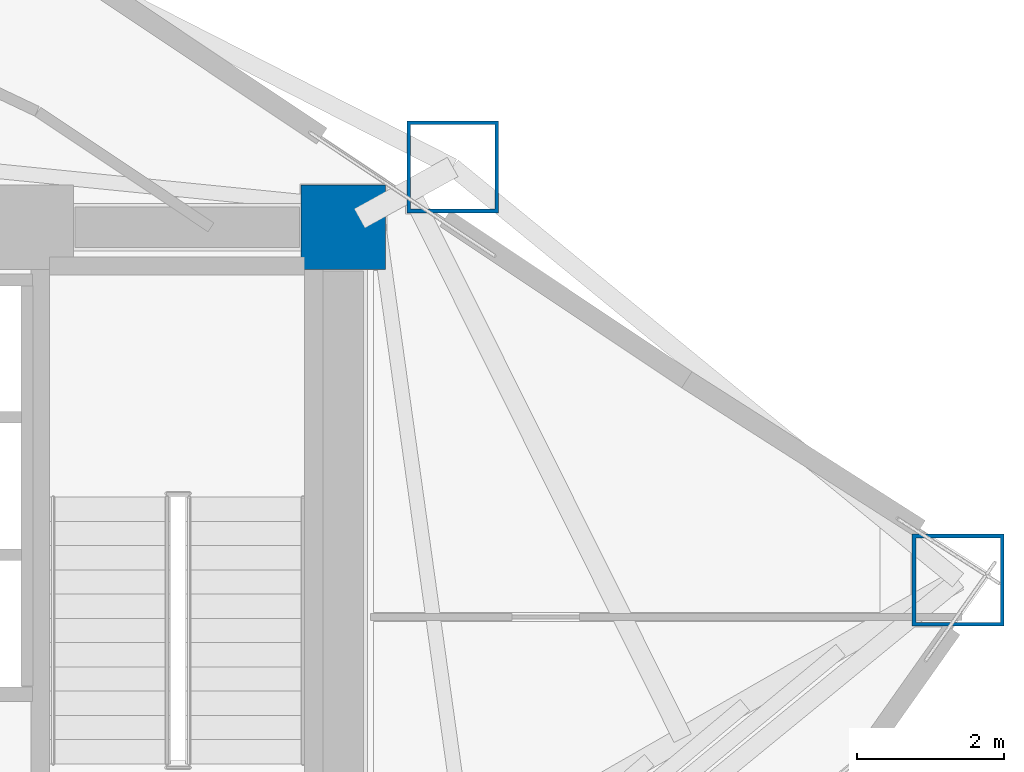
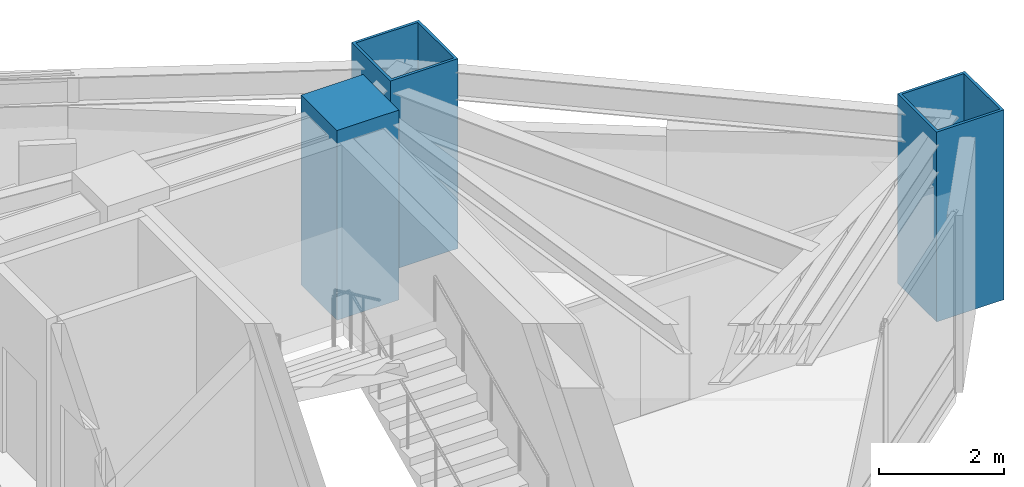
# One storey, part 2 of 23: 3 columns.
"""IFC4 building model written with IfcOpenShell, lengths in metres."""

from ifc_helpers import new_model, si_unit, direction, frame, origin, origin_2d, place, context, subcontext, project, spatial, rectangle, hollow_rectangle, extrude, material, material_profile, profile_set, type_object, element, save


model = new_model("IFC4")

# Units and contexts
model_context = context("Model", 3, precision=1e-05, world=origin(), true_north=direction((0.0, 1.0)))
body_context = subcontext(model_context, "Body", "Model", "MODEL_VIEW")
ifc_project = project(units=[si_unit("LENGTHUNIT", "METRE"), si_unit("AREAUNIT", "SQUARE_METRE"), si_unit("VOLUMEUNIT", "CUBIC_METRE"), si_unit("PLANEANGLEUNIT", "RADIAN"), si_unit("MASSUNIT", "GRAM", prefix="KILO")], contexts=[model_context])

# Site, building, storey
site_placement = place(None, origin())
site = spatial("IfcSite", under=ifc_project, at=site_placement, CompositionType="ELEMENT")
building_placement = place(site_placement, origin())
building = spatial("IfcBuilding", under=site, at=building_placement, Name="Menara Vayukalpa", CompositionType="ELEMENT")
storey_placement = place(building_placement, frame((0.0, 0.0, 103.97998046875)))
storey = spatial("IfcBuildingStorey", under=building, at=storey_placement, Name="L25", CompositionType="ELEMENT", Elevation=103.97998046875)

# Columns
ifc_material_1 = material(Name="Concrete C80/95", Category="concrete")
ifc_material_profile_1 = material_profile(ifc_material_1, rectangle(XDim=1.14990234375, YDim=1.14990234375, at=origin_2d()), Name="RC 1150x1150")
ifc_profile_set_1 = profile_set([ifc_material_profile_1], Name="Concrete C80/95")
column_type_1 = type_object("IfcColumnType", Name="COL-CC1", PredefinedType="COLUMN", material=ifc_profile_set_1)
column_placement = place(storey_placement, frame((33.39990234375, 26.800048828125, 0.0), z_axis=(0.0, 0.0, 1.0), x_axis=(1.0, 0.0, 0.0)))
element("IfcColumn", 1, at=column_placement, inside=storey, type_object=column_type_1, Name="L25 Core Pilaster Column CC8", PredefinedType="COLUMN", context=body_context, shape_type="SweptSolid", body=[
    extrude(rectangle(XDim=1.14990234375, YDim=1.14990234375, at=origin_2d()), origin(), (0.0, 0.0, 1.0), 3.719970703125),
])
ifc_material_2 = material(Name="Steel S460", Category="steel")
ifc_material_profile_2 = material_profile(ifc_material_2, hollow_rectangle(XDim=1.25, YDim=1.25, WallThickness=0.050048828125, at=origin_2d()), Name="BOX 1250x1250x50")
ifc_profile_set_2 = profile_set([ifc_material_profile_2], Name="Steel S460")
column_type_2 = type_object("IfcColumnType", Name="COL-MC2", PredefinedType="COLUMN", material=ifc_profile_set_2)
for number, where, z_axis, x_axis, name in (
    (2, (41.761962890625, 22.0, 0.0), (0.0, 0.0, 1.0), (1.0, 0.0, 0.0), "L25 Perimeter Mega Column P01"),
    (3, (34.88671875, 27.62158203125, 0.0), (0.0, 0.0, 1.0), (1.0, 0.0, 0.0), "L25 Perimeter Mega Column P02"),
):
    element("IfcColumn", number, at=place(storey_placement, frame(where, z_axis=z_axis, x_axis=x_axis)), inside=storey, type_object=column_type_2, Name=name, PredefinedType="COLUMN", context=body_context, shape_type="SweptSolid", body=[
        extrude(hollow_rectangle(XDim=1.25, YDim=1.25, WallThickness=0.050048828125, at=origin_2d()), origin(), (0.0, 0.0, 1.0), 3.719970703125),
    ])

save(model, "model.ifc")
